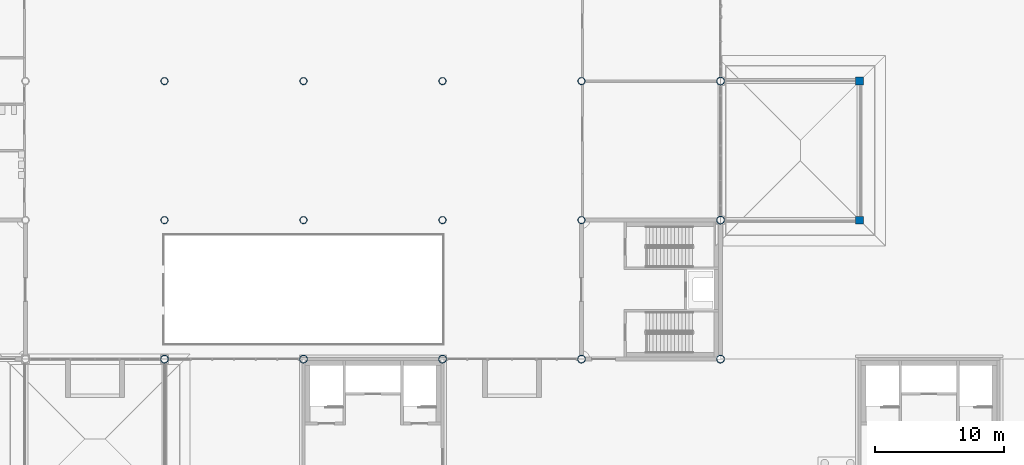
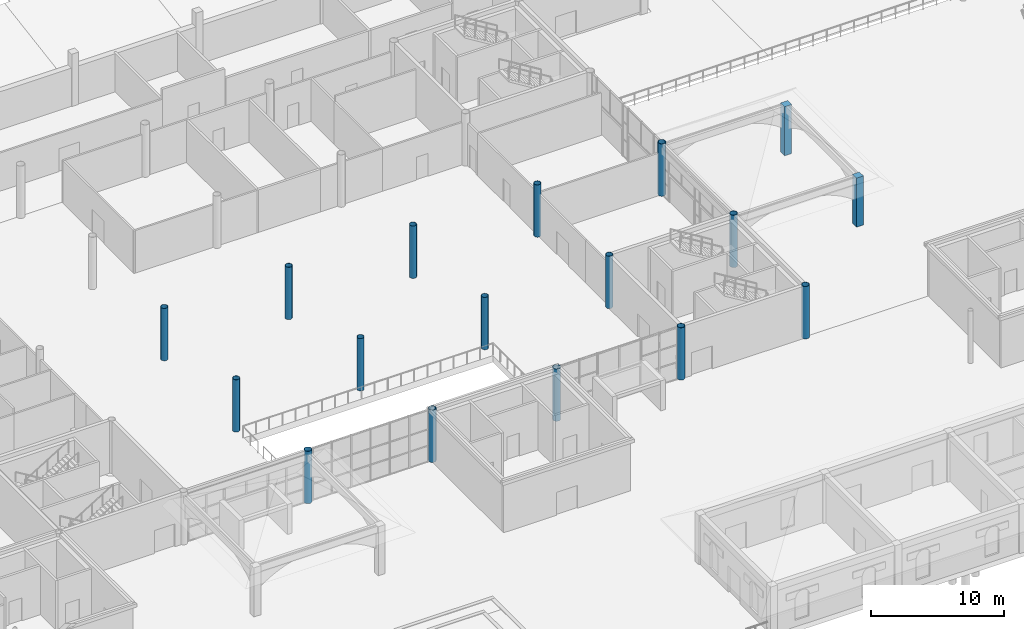
# One storey, part 6 of 91: 17 columns.
"""IFC4 building model written with IfcOpenShell, lengths in metres."""

from ifc_helpers import new_model, si_unit, direction, frame, origin, origin_2d, place, context, subcontext, project, spatial, rectangle, hollow_circle, extrude, material, material_profile, profile_set, type_object, element, save


model = new_model("IFC4")

# Units and contexts
model_context = context("Model", 3, precision=1e-05, world=origin(), true_north=direction((0.0, 1.0)))
body_context = subcontext(model_context, "Body", "Model", "MODEL_VIEW")
ifc_project = project(units=[si_unit("LENGTHUNIT", "METRE"), si_unit("AREAUNIT", "SQUARE_METRE"), si_unit("VOLUMEUNIT", "CUBIC_METRE"), si_unit("PLANEANGLEUNIT", "RADIAN"), si_unit("MASSUNIT", "GRAM", prefix="KILO")], contexts=[model_context])

# Site, building, storey
site_placement = place(None, origin())
site = spatial("IfcSite", under=ifc_project, at=site_placement, CompositionType="ELEMENT")
building_placement = place(site_placement, origin())
building = spatial("IfcBuilding", under=site, at=building_placement, Name="Magnolia Steps Interchange", CompositionType="ELEMENT")
storey_placement = place(building_placement, origin())
storey = spatial("IfcBuildingStorey", under=building, at=storey_placement, Name="L00", CompositionType="ELEMENT", Elevation=0.0)

# Columns
ifc_material_1 = material(Name="Concrete C40", Category="concrete")
ifc_material_profile_1 = material_profile(ifc_material_1, rectangle(XDim=0.60009765625, YDim=0.60009765625, at=origin_2d()), Name="RC600x600")
ifc_profile_set_1 = profile_set([ifc_material_profile_1], Name="Concrete C40")
column_type_1 = type_object("IfcColumnType", Name="RC column 600x600", PredefinedType="COLUMN", material=ifc_profile_set_1)
for number, where, z_axis, x_axis, name in (
    (1, (128.800048828125, 53.199951171875, 0.0), (0.0, 0.0, 1.0), (1.0, 0.0, 0.0), "Portico column E2"),
    (2, (128.800048828125, 64.0, 0.0), (0.0, 0.0, 1.0), (1.0, 0.0, 0.0), "Portico column E2"),
):
    element("IfcColumn", number, at=place(storey_placement, frame(where, z_axis=z_axis, x_axis=x_axis)), inside=storey, type_object=column_type_1, Name=name, PredefinedType="COLUMN", context=body_context, shape_type="SweptSolid", body=[
        extrude(rectangle(XDim=0.60009765625, YDim=0.60009765625, at=origin_2d()), origin(), (0.0, 0.0, 1.0), 4.5),
    ])
ifc_material_2 = material(Name="Steel Q355B", Category="steel")
ifc_material_profile_2 = material_profile(ifc_material_2, hollow_circle(Radius=0.279541015625, WallThickness=0.02001953125, at=origin_2d()), Name="CHS559x20")
ifc_profile_set_2 = profile_set([ifc_material_profile_2], Name="Steel Q355B")
column_type_2 = type_object("IfcColumnType", Name="Tree trunk CHS559x20", PredefinedType="COLUMN", material=ifc_profile_set_2)
for number, where, z_axis, x_axis, name in (
    (3, (74.800048828125, 53.199951171875, 0.0), (0.0, 0.0, 1.0), (1.0, 0.0, 0.0), "Tree trunk TH03B"),
    (4, (74.800048828125, 64.0, 0.0), (0.0, 0.0, 1.0), (1.0, 0.0, 0.0), "Tree trunk TH03C"),
    (5, (85.60009765625, 53.199951171875, 0.0), (0.0, 0.0, 1.0), (1.0, 0.0, 0.0), "Tree trunk TH04B"),
    (6, (85.60009765625, 64.0, 0.0), (0.0, 0.0, 1.0), (1.0, 0.0, 0.0), "Tree trunk TH04C"),
    (7, (96.39990234375, 53.199951171875, 0.0), (0.0, 0.0, 1.0), (1.0, 0.0, 0.0), "Tree trunk TH05B"),
    (8, (96.39990234375, 64.0, 0.0), (0.0, 0.0, 1.0), (1.0, 0.0, 0.0), "Tree trunk TH05C"),
    (9, (107.199951171875, 53.199951171875, 0.0), (0.0, 0.0, 1.0), (1.0, 0.0, 0.0), "Tree trunk TH06B"),
    (10, (107.199951171875, 64.0, 0.0), (0.0, 0.0, 1.0), (1.0, 0.0, 0.0), "Tree trunk TH06C"),
):
    element("IfcColumn", number, at=place(storey_placement, frame(where, z_axis=z_axis, x_axis=x_axis)), inside=storey, type_object=column_type_2, Name=name, PredefinedType="COLUMN", context=body_context, shape_type="SweptSolid", body=[
        extrude(hollow_circle(Radius=0.279541015625, WallThickness=0.02001953125, at=origin_2d()), origin(), (0.0, 0.0, 1.0), 4.800048828125),
    ])
ifc_material_3 = material(Name="Steel Q355B", Category="steel")
ifc_material_profile_3 = material_profile(ifc_material_3, hollow_circle(Radius=0.304931640625, WallThickness=0.02490234375, at=origin_2d()), Name="CHS610x25")
ifc_profile_set_3 = profile_set([ifc_material_profile_3], Name="Steel Q355B")
column_type_3 = type_object("IfcColumnType", Name="Tree trunk CHS610x25", PredefinedType="COLUMN", material=ifc_profile_set_3)
for number, where, z_axis, x_axis, name in (
    (11, (74.800048828125, 42.39990234375, 0.0), (0.0, 0.0, 1.0), (1.0, 0.0, 0.0), "Tree trunk TH03A"),
    (12, (85.60009765625, 42.39990234375, 0.0), (0.0, 0.0, 1.0), (1.0, 0.0, 0.0), "Tree trunk TH04A"),
    (13, (96.39990234375, 42.39990234375, 0.0), (0.0, 0.0, 1.0), (1.0, 0.0, 0.0), "Tree trunk TH05A"),
    (14, (107.199951171875, 42.39990234375, 0.0), (0.0, 0.0, 1.0), (1.0, 0.0, 0.0), "Tree trunk TH06A"),
    (15, (118.0, 42.39990234375, 0.0), (0.0, 0.0, 1.0), (1.0, 0.0, 0.0), "Tree trunk TH07A"),
    (16, (118.0, 53.199951171875, 0.0), (0.0, 0.0, 1.0), (1.0, 0.0, 0.0), "Tree trunk TH07B"),
    (17, (118.0, 64.0, 0.0), (0.0, 0.0, 1.0), (1.0, 0.0, 0.0), "Tree trunk TH07C"),
):
    element("IfcColumn", number, at=place(storey_placement, frame(where, z_axis=z_axis, x_axis=x_axis)), inside=storey, type_object=column_type_3, Name=name, PredefinedType="COLUMN", context=body_context, shape_type="SweptSolid", body=[
        extrude(hollow_circle(Radius=0.304931640625, WallThickness=0.02490234375, at=origin_2d()), origin(), (0.0, 0.0, 1.0), 4.800048828125),
    ])

save(model, "model.ifc")
